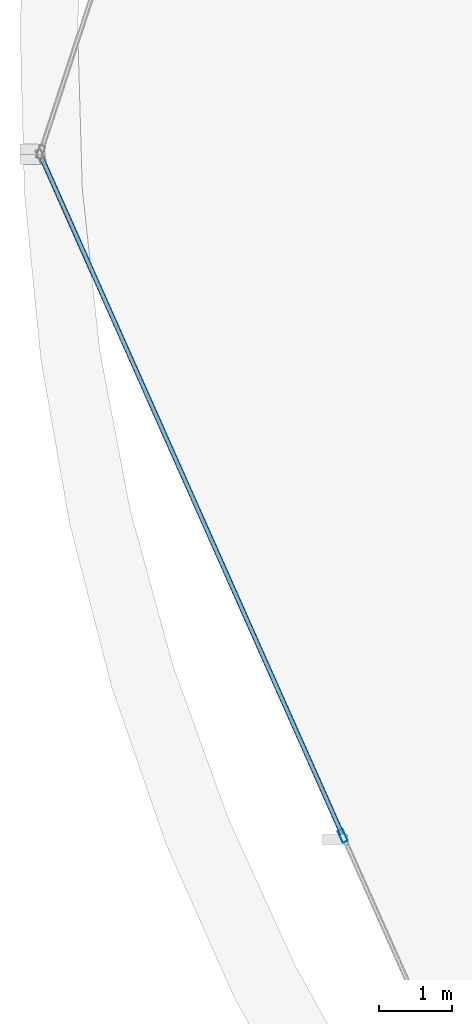
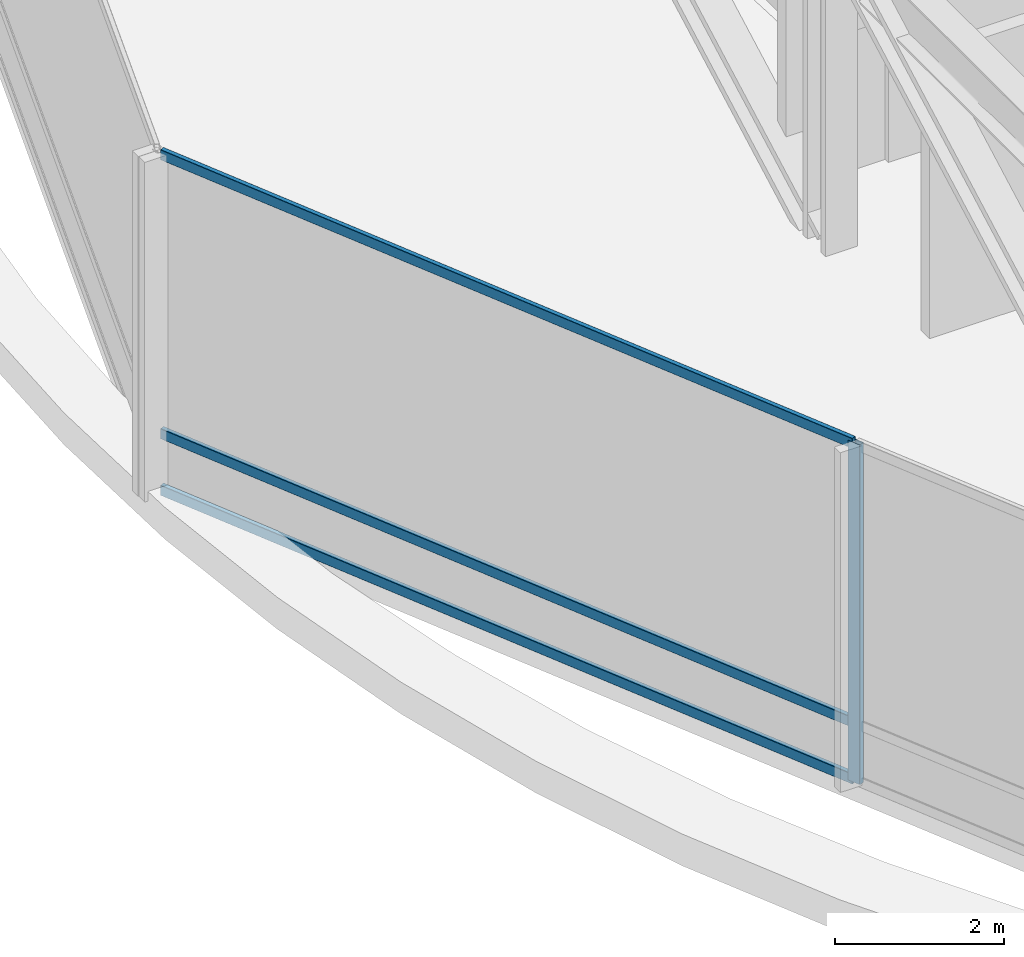
# One storey, part 5 of 37: 4 members, 1 element without a shape of its own.
"""IFC4 building model written with IfcOpenShell, lengths in metres."""

from ifc_helpers import new_model, si_unit, direction, frame, origin, origin_2d, place, context, subcontext, project, spatial, hollow_rectangle, extrude, material, layer, layer_set, material_profile, profile_set, type_object, element, aggregate, save


model = new_model("IFC4")

# Units and contexts
model_context = context("Model", 3, precision=1e-05, world=origin(), true_north=direction((0.0, 1.0)))
body_context = subcontext(model_context, "Body", "Model", "MODEL_VIEW")
ifc_project = project(units=[si_unit("LENGTHUNIT", "METRE"), si_unit("AREAUNIT", "SQUARE_METRE"), si_unit("VOLUMEUNIT", "CUBIC_METRE"), si_unit("PLANEANGLEUNIT", "RADIAN"), si_unit("MASSUNIT", "GRAM", prefix="KILO")], contexts=[model_context])

# Site, building, storey
site_placement = place(None, origin())
site = spatial("IfcSite", under=ifc_project, at=site_placement, CompositionType="ELEMENT")
building_placement = place(site_placement, origin())
building = spatial("IfcBuilding", under=site, at=building_placement, Name="Solvaryn Broadcast Tower", CompositionType="ELEMENT")
storey_placement = place(building_placement, frame((0.0, 0.0, 30.800048828125)))
storey = spatial("IfcBuildingStorey", under=building, at=storey_placement, Name="L06", CompositionType="ELEMENT", Elevation=30.800048828125)

# Curtain wall, members
ifc_material_1 = material(Name="Aluminium and Terracotta Unitised Curtain Wall", Category="masonry")
ifc_layer = layer(ifc_material_1, 0.199951171875)
ifc_layer_set = layer_set([ifc_layer], Name="CW-SYS2-LOWMID")
curtain_wall_type = type_object("IfcCurtainWallType", Name="CW-SYS2-LOWMID", PredefinedType="NOTDEFINED", material=ifc_layer_set)
curtain_wall_placement = place(storey_placement, origin())
curtain_wall = element("IfcCurtainWall", 1, at=curtain_wall_placement, inside=storey, type_object=curtain_wall_type, Name="L06 Curtain Wall DR2", PredefinedType="NOTDEFINED")
ifc_material_2 = material(Name="Anodised Aluminium 6063-T6", Category="aluminium")
ifc_material_profile_1 = material_profile(ifc_material_2, hollow_rectangle(XDim=0.074951171875, YDim=0.179931640625, WallThickness=0.00390625, InnerFilletRadius=0.00390625, OuterFilletRadius=0.008056640625, at=origin_2d()))
ifc_profile_set_1 = profile_set([ifc_material_profile_1], Name="Anodised Aluminium 6063-T6")
member_type_1 = type_object("IfcMemberType", Name="CW-MUL-180", PredefinedType="MULLION", material=ifc_profile_set_1)
member_1_placement = place(storey_placement, frame((3.69140625, 17.20361328125, 0.0), z_axis=(0.0, 0.0, 1.0), x_axis=(0.913918257271, 0.405898286554, 0.0)))
member_1 = element("IfcMember", 2, at=member_1_placement, type_object=member_type_1, Name="CWS2 mullion 2", PredefinedType="MULLION", context=body_context, shape_type="SweptSolid", body=[
    extrude(hollow_rectangle(XDim=0.074951171875, YDim=0.179931640625, WallThickness=0.00390625, InnerFilletRadius=0.00390625, OuterFilletRadius=0.008056640625, at=origin_2d()), origin(), (0.0, 0.0, 1.0), 4.919921875),
])
ifc_material_3 = material(Name="Anodised Aluminium 6063-T6", Category="aluminium")
ifc_material_profile_2 = material_profile(ifc_material_3, hollow_rectangle(XDim=0.06494140625, YDim=0.14990234375, WallThickness=0.00390625, InnerFilletRadius=0.00390625, OuterFilletRadius=0.008056640625, at=origin_2d()))
ifc_profile_set_2 = profile_set([ifc_material_profile_2], Name="Anodised Aluminium 6063-T6")
member_type_2 = type_object("IfcMemberType", Name="CW-TRN-150", PredefinedType="USERDEFINED", material=ifc_profile_set_2)
member_2_placement = place(storey_placement, frame((-0.439697265625, 26.505126953125, 0.030029296875), z_axis=(0.40591523062, -0.913910731719, 0.0), x_axis=(0.913910731719, 0.40591523062, 0.0)))
member_2 = element("IfcMember", 3, at=member_2_placement, type_object=member_type_2, Name="CWS2 transom 1.1", ObjectType="TRANSOM", PredefinedType="USERDEFINED", context=body_context, shape_type="SweptSolid", body=[
    extrude(hollow_rectangle(XDim=0.06494140625, YDim=0.14990234375, WallThickness=0.00390625, InnerFilletRadius=0.00390625, OuterFilletRadius=0.008056640625, at=origin_2d()), origin(), (0.0, 0.0, 1.0), 10.147705078125),
])
member_3_placement = place(storey_placement, frame((-0.439697265625, 26.505126953125, 0.849853515625), z_axis=(0.40591523062, -0.913910731719, 0.0), x_axis=(0.913910731719, 0.40591523062, 0.0)))
member_3 = element("IfcMember", 4, at=member_3_placement, type_object=member_type_2, Name="CWS2 transom 1.2", ObjectType="TRANSOM", PredefinedType="USERDEFINED", context=body_context, shape_type="SweptSolid", body=[
    extrude(hollow_rectangle(XDim=0.06494140625, YDim=0.14990234375, WallThickness=0.00390625, InnerFilletRadius=0.00390625, OuterFilletRadius=0.008056640625, at=origin_2d()), origin(), (0.0, 0.0, 1.0), 10.147705078125),
])
member_4_placement = place(storey_placement, frame((-0.439697265625, 26.505126953125, 4.889892578125), z_axis=(0.40591523062, -0.913910731719, 0.0), x_axis=(0.913910731719, 0.40591523062, 0.0)))
member_4 = element("IfcMember", 5, at=member_4_placement, type_object=member_type_2, Name="CWS2 transom 1.3", ObjectType="TRANSOM", PredefinedType="USERDEFINED", context=body_context, shape_type="SweptSolid", body=[
    extrude(hollow_rectangle(XDim=0.06494140625, YDim=0.14990234375, WallThickness=0.00390625, InnerFilletRadius=0.00390625, OuterFilletRadius=0.008056640625, at=origin_2d()), origin(), (0.0, 0.0, 1.0), 10.147705078125),
])
aggregate(curtain_wall, [member_1, member_2, member_3, member_4])

save(model, "model.ifc")
